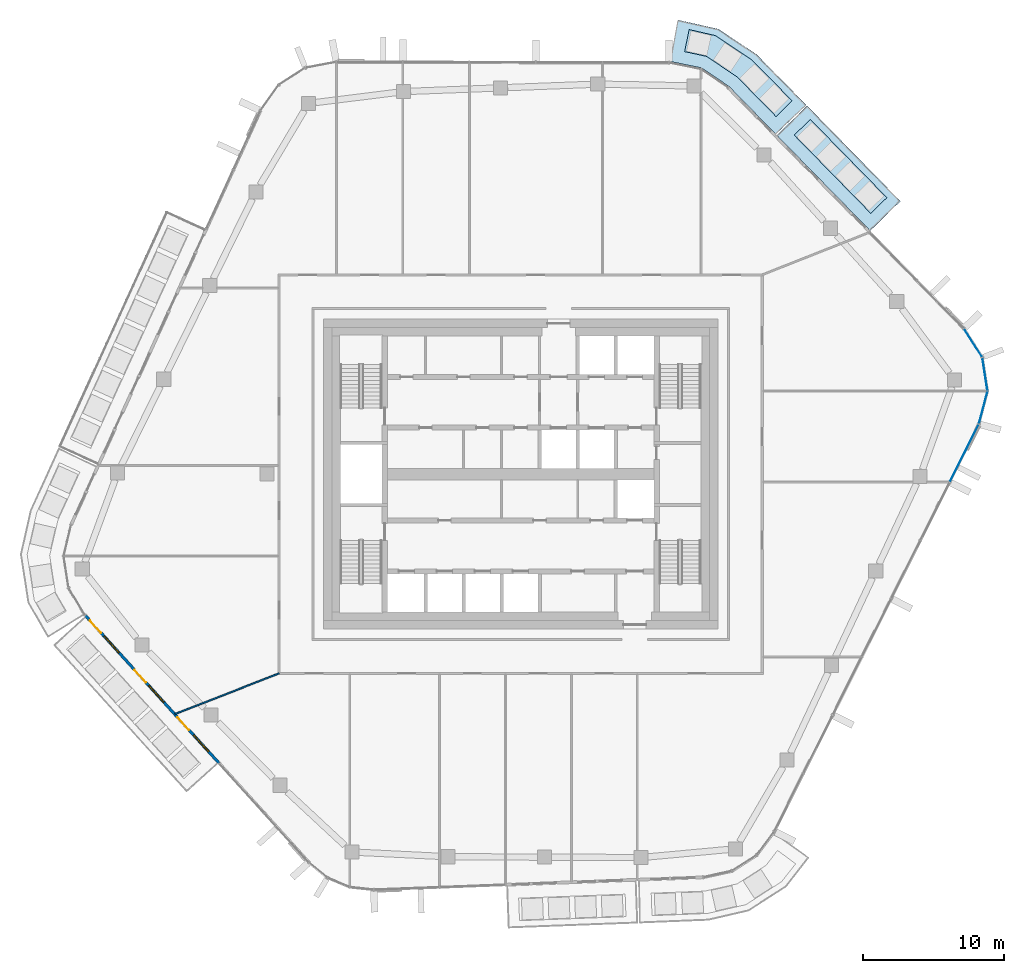
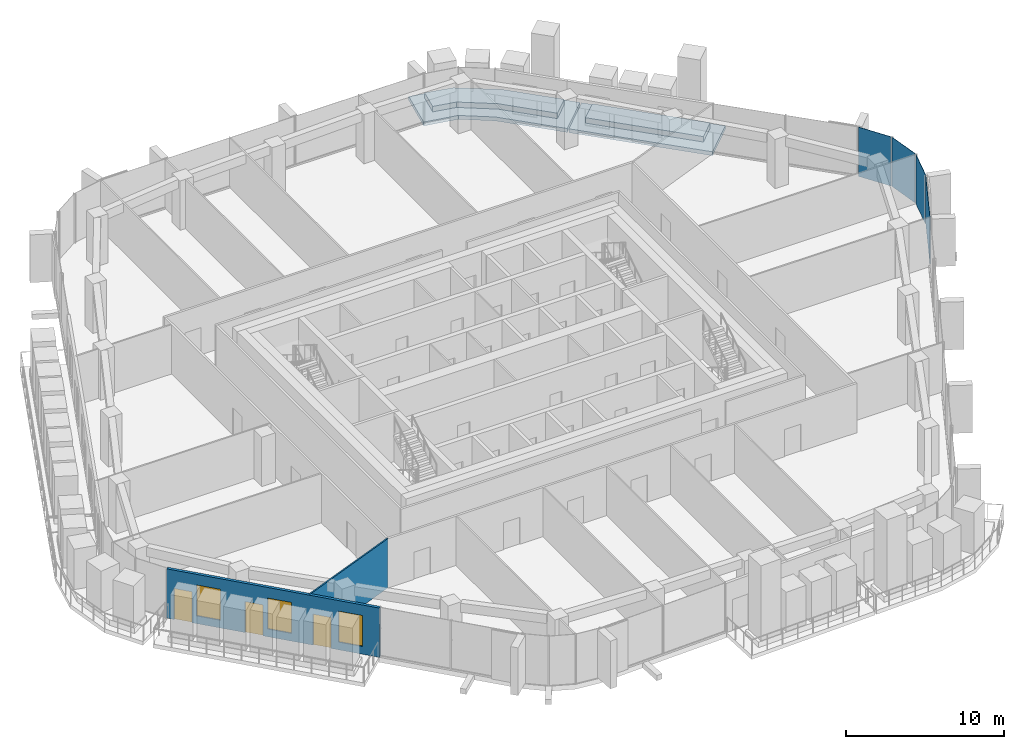
# One storey, part 12 of 23: 4 plates, 4 slabs, 3 doors, 3 windows, 2 walls, 6 openings, 2 elements without a shape of their own.
"""IFC4 building model written with IfcOpenShell, lengths in metres."""

from ifc_helpers import new_model, si_unit, direction, frame, frame_2d, origin, origin_2d, place, context, subcontext, project, spatial, polyline, rectangle, outline, extrude, material, layer, layer_set, type_object, element, fill, aggregate, save


model = new_model("IFC4")

# Units and contexts
model_context = context("Model", 3, precision=1e-05, world=origin(), true_north=direction((0.0, 1.0)))
body_context = subcontext(model_context, "Body", "Model", "MODEL_VIEW")
ifc_project = project(units=[si_unit("LENGTHUNIT", "METRE"), si_unit("AREAUNIT", "SQUARE_METRE"), si_unit("VOLUMEUNIT", "CUBIC_METRE"), si_unit("PLANEANGLEUNIT", "RADIAN"), si_unit("MASSUNIT", "GRAM", prefix="KILO")], contexts=[model_context])

# Site, building, storey
site_placement = place(None, origin())
site = spatial("IfcSite", under=ifc_project, at=site_placement, CompositionType="ELEMENT")
building_placement = place(site_placement, origin())
building = spatial("IfcBuilding", under=site, at=building_placement, Name="Dongbaek Canopy Tower", CompositionType="ELEMENT")
storey_placement = place(building_placement, frame((0.0, 0.0, 315.199951171875)))
storey = spatial("IfcBuildingStorey", under=building, at=storey_placement, Name="L67", CompositionType="ELEMENT", Elevation=315.199951171875)

# Slabs
ifc_material_1 = material(Name="Concrete C40/50", Category="concrete")
ifc_layer_1 = layer(ifc_material_1, 0.300048828125)
ifc_layer_set_1 = layer_set([ifc_layer_1], Name="Balcony slab 300")
slab_type_1 = type_object("IfcSlabType", Name="Balcony slab 300", PredefinedType="FLOOR", material=ifc_layer_set_1)
slab_1_placement = place(storey_placement, frame((0.0, 0.0, -0.300048828125)))
element("IfcSlab", 1, at=slab_1_placement, inside=storey, type_object=slab_type_1, Name="Balcony L67 1", PredefinedType="FLOOR", context=body_context, shape_type="SweptSolid", body=[
    extrude(outline(polyline([(24.81884765625, 17.28271484375), (18.192626953125, 24.05517578125), (20.3369140625, 26.153076171875), (26.963134765625, 19.380859375), (24.81884765625, 17.28271484375)])), origin(), (0.0, 0.0, 1.0), 0.300048828125),
])
slab_2_placement = place(storey_placement, frame((0.0, 0.0, -0.300048828125)))
element("IfcSlab", 2, at=slab_2_placement, inside=storey, type_object=slab_type_1, Name="Balcony L67 5", PredefinedType="FLOOR", context=body_context, shape_type="SweptSolid", body=[
    extrude(outline(polyline([(18.122802734375, 24.12646484375), (14.809814453125, 27.5126953125), (12.853271484375, 28.8447265625), (10.5830078125, 29.306640625), (11.18115234375, 32.246337890625), (14.01953125, 31.60888671875), (16.735595703125, 29.81298828125), (20.26708984375, 26.224609375), (18.122802734375, 24.12646484375)])), origin(), (0.0, 0.0, 1.0), 0.300048828125),
])

# Curtain wall, plates
ifc_material_2 = material(Name="Aluminium 6063-T6 pale anodised", Category="aluminium")
ifc_layer_2 = layer(ifc_material_2, 0.199951171875)
ifc_layer_set_2 = layer_set([ifc_layer_2], Name="CW-1 unitised tower curtain wall")
curtain_wall_type = type_object("IfcCurtainWallType", Name="CW-1 unitised tower curtain wall", PredefinedType="NOTDEFINED", material=ifc_layer_set_2)
curtain_wall_1_placement = place(storey_placement, origin())
curtain_wall_1 = element("IfcCurtainWall", 3, at=curtain_wall_1_placement, inside=storey, type_object=curtain_wall_type, Name="CW-1 curtain wall K0.1", PredefinedType="NOTDEFINED")
ifc_material_3 = material(Name="Clear laminated glass", Category="glass")
ifc_layer_3 = layer(ifc_material_3, 0.028076171875)
ifc_layer_set_3 = layer_set([ifc_layer_3], Name="CW-1 glazed panel 28")
plate_type = type_object("IfcPlateType", Name="CW-1 glazed panel 28", PredefinedType="CURTAIN_PANEL", material=ifc_layer_set_3)
plate_1_placement = place(storey_placement, frame((32.840087890625, 4.72607421875, 0.0), z_axis=(0.0, 0.0, 1.0), x_axis=(0.255710608049, 0.966753373375, 0.0)))
plate_1 = element("IfcPlate", 4, at=plate_1_placement, type_object=plate_type, Name="CW-1 panel K0.1.1.1", PredefinedType="CURTAIN_PANEL", context=body_context, shape_type="SweptSolid", body=[
    extrude(rectangle(XDim=2.346435546875, YDim=0.028076171875, at=origin_2d()), origin(), (0.0, 0.0, 1.0), 3.820068359375),
])
plate_2_placement = place(storey_placement, frame((32.964599609375, 7.096435546875, 0.0), z_axis=(0.0, 0.0, 1.0), x_axis=(-0.154029397181, 0.988066265391, 0.0)))
plate_2 = element("IfcPlate", 5, at=plate_2_placement, type_object=plate_type, Name="CW-1 panel K0.1.2.1", PredefinedType="CURTAIN_PANEL", context=body_context, shape_type="SweptSolid", body=[
    extrude(rectangle(XDim=2.3359375, YDim=0.028076171875, at=origin_2d()), origin(), (0.0, 0.0, 1.0), 3.820068359375),
])
plate_3_placement = place(storey_placement, frame((32.12451171875, 9.31640625, 0.0), z_axis=(0.0, 0.0, 1.0), x_axis=(-0.537839922509, 0.843046984311, 0.0)))
plate_3 = element("IfcPlate", 6, at=plate_3_placement, type_object=plate_type, Name="CW-1 panel K0.1.3.1", PredefinedType="CURTAIN_PANEL", context=body_context, shape_type="SweptSolid", body=[
    extrude(rectangle(XDim=2.346435546875, YDim=0.028076171875, at=origin_2d()), origin(), (0.0, 0.0, 1.0), 3.820068359375),
])
aggregate(curtain_wall_1, [plate_1, plate_2, plate_3])

# Curtain wall, plate
curtain_wall_2_placement = place(storey_placement, origin())
curtain_wall_2 = element("IfcCurtainWall", 7, at=curtain_wall_2_placement, inside=storey, type_object=curtain_wall_type, Name="CW-1 curtain wall F5.1", PredefinedType="NOTDEFINED")
plate_4_placement = place(storey_placement, frame((31.494384765625, 1.489013671875, 0.1201171875), z_axis=(0.0, 0.0, 1.0), x_axis=(0.448598466859, 0.893733414129, 0.0)))
plate_4 = element("IfcPlate", 8, at=plate_4_placement, type_object=plate_type, Name="CW-1 panel F5.1.7.1", PredefinedType="CURTAIN_PANEL", context=body_context, shape_type="SweptSolid", body=[
    extrude(rectangle(XDim=4.531005859375, YDim=0.028076171875, at=origin_2d()), origin(), (0.0, 0.0, 1.0), 3.699951171875),
])
aggregate(curtain_wall_2, [plate_4])

# Slabs
ifc_material_4 = material(Name="Reinforced concrete C40/50 planter box with soil", Category="concrete")
ifc_layer_4 = layer(ifc_material_4, 0.419921875)
ifc_layer_set_4 = layer_set([ifc_layer_4], Name="Terrace planter box 1600 x 420")
slab_type_2 = type_object("IfcSlabType", Name="Terrace planter box 1600 x 420", PredefinedType="USERDEFINED", material=ifc_layer_set_4)
slab_3_placement = place(storey_placement, origin())
element("IfcSlab", 9, at=slab_3_placement, inside=storey, type_object=slab_type_2, Name="Balcony planter L67 1", ObjectType="PLANTER", PredefinedType="USERDEFINED", context=body_context, shape_type="SweptSolid", body=[
    extrude(outline(polyline([(24.8603515625, 18.5126953125), (19.42333984375, 24.06982421875), (20.56689453125, 25.18896484375), (26.004150390625, 19.6318359375), (24.8603515625, 18.5126953125)])), origin(), (0.0, 0.0, 1.0), 0.420166015625),
])
slab_4_placement = place(storey_placement, origin())
element("IfcSlab", 10, at=slab_4_placement, inside=storey, type_object=slab_type_2, Name="Balcony planter L67 5", ObjectType="PLANTER", PredefinedType="USERDEFINED", context=body_context, shape_type="SweptSolid", body=[
    extrude(outline(polyline([(18.12939453125, 25.392333984375), (15.381103515625, 28.195068359375), (13.199462890625, 29.664794921875), (11.642578125, 29.999267578125), (11.96142578125, 31.567138671875), (13.8212890625, 31.138916015625), (16.408203125, 29.421875), (19.273193359375, 26.51123046875), (18.12939453125, 25.392333984375)])), origin(), (0.0, 0.0, 1.0), 0.420166015625),
])

# Wall
ifc_material_5 = material(Name="Gypsum board partition, steel stud, 2 x 12.5 mm board", Category="steel")
ifc_layer_5 = layer(ifc_material_5, 0.10009765625)
ifc_layer_set_5 = layer_set([ifc_layer_5], Name="Partition 100 gypsum board")
wall_type_1 = type_object("IfcWallType", Name="Partition 100 gypsum board", PredefinedType="PARTITIONING", material=ifc_layer_set_5)
wall_1_placement = place(storey_placement, frame((-24.55029296875, -17.033447265625, 0.0), z_axis=(0.0, 0.0, 1.0), x_axis=(0.931751191714, 0.363097392911, 0.0)))
element("IfcWall", 11, at=wall_1_placement, inside=storey, type_object=wall_type_1, Name="Partition", PredefinedType="PARTITIONING", context=body_context, shape_type="SweptSolid", body=[
    extrude(rectangle(XDim=7.942138671875, YDim=0.10009765625, at=frame_2d((3.97119140625, 0.0))), origin(), (0.0, 0.0, 1.0), 3.820068359375),
])

# Wall, openings, doors, windows
ifc_material_6 = material(Name="Aluminium window wall", Category="aluminium")
ifc_layer_6 = layer(ifc_material_6, 0.199951171875)
ifc_layer_set_6 = layer_set([ifc_layer_6], Name="Window wall 200")
wall_type_2 = type_object("IfcWallType", Name="Window wall 200", PredefinedType="SOLIDWALL", material=ifc_layer_set_6)
wall_2_placement = place(storey_placement, frame((-30.925537109375, -10.022705078125, 0.0), z_axis=(0.0, 0.0, 1.0), x_axis=(0.671222052588, -0.74125633631, 0.0)))
wall_2 = element("IfcWall", 12, at=wall_2_placement, inside=storey, type_object=wall_type_2, Name="Window wall L67 3", PredefinedType="SOLIDWALL", context=body_context, shape_type="SweptSolid", body=[
    extrude(rectangle(XDim=14.2021484375, YDim=0.199951171875, at=frame_2d((7.10107421875, 0.0))), origin(), (0.0, 0.0, 1.0), 3.820068359375),
])
opening_1_placement = place(wall_2_placement, frame((2.0, 0.0, 0.60009765625)))
opening_1 = element("IfcOpeningElement", 13, at=opening_1_placement, cuts=wall_2, Name="Opening W1", PredefinedType="OPENING", context=body_context, shape_type="SweptSolid", body=[
    extrude(rectangle(XDim=1.60009765625, YDim=2.39990234375, at=frame_2d((0.800048828125, 1.199951171875))), frame((0.0, 0.10986328125, 0.0), z_axis=(0.0, -1.0, 0.0), x_axis=(1.0, 0.0, 0.0)), (0.0, 0.0, 1.0), 0.219970703125),
])
opening_2_placement = place(wall_2_placement, frame((0.5, 0.0, 0.0)))
opening_2 = element("IfcOpeningElement", 14, at=opening_2_placement, cuts=wall_2, Name="Opening L67-B09", PredefinedType="OPENING", context=body_context, shape_type="SweptSolid", body=[
    extrude(rectangle(XDim=1.199951171875, YDim=2.39990234375, at=frame_2d((0.60009765625, 1.199951171875))), frame((0.0, 0.10986328125, 0.0), z_axis=(0.0, -1.0, 0.0), x_axis=(1.0, 0.0, 0.0)), (0.0, 0.0, 1.0), 0.219970703125),
])
opening_3_placement = place(wall_2_placement, frame((6.73388671875, 0.0, 0.60009765625)))
opening_3 = element("IfcOpeningElement", 15, at=opening_3_placement, cuts=wall_2, Name="Opening W1", PredefinedType="OPENING", context=body_context, shape_type="SweptSolid", body=[
    extrude(rectangle(XDim=1.60009765625, YDim=2.39990234375, at=frame_2d((0.800048828125, 1.199951171875))), frame((0.0, 0.10986328125, 0.0), z_axis=(0.0, -1.0, 0.0), x_axis=(1.0, 0.0, 0.0)), (0.0, 0.0, 1.0), 0.219970703125),
])
opening_4_placement = place(wall_2_placement, frame((5.23388671875, 0.0, 0.0)))
opening_4 = element("IfcOpeningElement", 16, at=opening_4_placement, cuts=wall_2, Name="Opening L67-B10", PredefinedType="OPENING", context=body_context, shape_type="SweptSolid", body=[
    extrude(rectangle(XDim=1.199951171875, YDim=2.39990234375, at=frame_2d((0.60009765625, 1.199951171875))), frame((0.0, 0.10986328125, 0.0), z_axis=(0.0, -1.0, 0.0), x_axis=(1.0, 0.0, 0.0)), (0.0, 0.0, 1.0), 0.219970703125),
])
opening_5_placement = place(wall_2_placement, frame((11.468017578125, 0.0, 0.60009765625)))
opening_5 = element("IfcOpeningElement", 17, at=opening_5_placement, cuts=wall_2, Name="Opening W1", PredefinedType="OPENING", context=body_context, shape_type="SweptSolid", body=[
    extrude(rectangle(XDim=1.60009765625, YDim=2.39990234375, at=frame_2d((0.800048828125, 1.199951171875))), frame((0.0, 0.10986328125, 0.0), z_axis=(0.0, -1.0, 0.0), x_axis=(1.0, 0.0, 0.0)), (0.0, 0.0, 1.0), 0.219970703125),
])
opening_6_placement = place(wall_2_placement, frame((9.76806640625, 0.0, 0.0)))
opening_6 = element("IfcOpeningElement", 18, at=opening_6_placement, cuts=wall_2, Name="Opening L67-B11", PredefinedType="OPENING", context=body_context, shape_type="SweptSolid", body=[
    extrude(rectangle(XDim=1.199951171875, YDim=2.39990234375, at=frame_2d((0.60009765625, 1.199951171875))), frame((0.0, 0.10986328125, 0.0), z_axis=(0.0, -1.0, 0.0), x_axis=(1.0, 0.0, 0.0)), (0.0, 0.0, 1.0), 0.219970703125),
])
ifc_material_7 = material(Name="Clear glazing in aluminium frame", Category="aluminium")
door_type = type_object("IfcDoorType", Name="Balcony door BD1 1200 x 2400", OperationType="SLIDING_TO_LEFT", PredefinedType="DOOR", material=ifc_material_7)
door_1_placement = place(opening_2_placement, origin())
door_1 = element("IfcDoor", 19, at=door_1_placement, inside=storey, type_object=door_type, Name="Balcony door L67-B09", OperationType="SLIDING_TO_LEFT", OverallHeight=2.39990234375, OverallWidth=1.199951171875, PredefinedType="DOOR", context=body_context, shape_type="SweptSolid", body=[
    extrude(rectangle(XDim=1.199951171875, YDim=2.39990234375, at=frame_2d((0.60009765625, 1.199951171875))), frame((0.0, 0.02490234375, 0.0), z_axis=(0.0, -1.0, 0.0), x_axis=(1.0, 0.0, 0.0)), (0.0, 0.0, 1.0), 0.050048828125),
])
fill(opening_2, door_1)
door_2_placement = place(opening_4_placement, origin())
door_2 = element("IfcDoor", 20, at=door_2_placement, inside=storey, type_object=door_type, Name="Balcony door L67-B10", OperationType="SLIDING_TO_LEFT", OverallHeight=2.39990234375, OverallWidth=1.199951171875, PredefinedType="DOOR", context=body_context, shape_type="SweptSolid", body=[
    extrude(rectangle(XDim=1.199951171875, YDim=2.39990234375, at=frame_2d((0.60009765625, 1.199951171875))), frame((0.0, 0.02490234375, 0.0), z_axis=(0.0, -1.0, 0.0), x_axis=(1.0, 0.0, 0.0)), (0.0, 0.0, 1.0), 0.050048828125),
])
fill(opening_4, door_2)
door_3_placement = place(opening_6_placement, origin())
door_3 = element("IfcDoor", 21, at=door_3_placement, inside=storey, type_object=door_type, Name="Balcony door L67-B11", OperationType="SLIDING_TO_LEFT", OverallHeight=2.39990234375, OverallWidth=1.199951171875, PredefinedType="DOOR", context=body_context, shape_type="SweptSolid", body=[
    extrude(rectangle(XDim=1.199951171875, YDim=2.39990234375, at=frame_2d((0.60009765625, 1.199951171875))), frame((0.0, 0.02490234375, 0.0), z_axis=(0.0, -1.0, 0.0), x_axis=(1.0, 0.0, 0.0)), (0.0, 0.0, 1.0), 0.050048828125),
])
fill(opening_6, door_3)
ifc_material_8 = material(Name="Clear glazing in aluminium frame", Category="aluminium")
window_type = type_object("IfcWindowType", Name="Window W1 1600 x 2400", PartitioningType="SINGLE_PANEL", PredefinedType="WINDOW", material=ifc_material_8)
window_1_placement = place(opening_1_placement, origin())
window_1 = element("IfcWindow", 22, at=window_1_placement, inside=storey, type_object=window_type, Name="Window L67 3.1", OverallHeight=2.39990234375, OverallWidth=1.60009765625, PartitioningType="SINGLE_PANEL", PredefinedType="WINDOW", context=body_context, shape_type="SweptSolid", body=[
    extrude(rectangle(XDim=1.60009765625, YDim=2.39990234375, at=frame_2d((0.800048828125, 1.199951171875))), frame((0.0, 0.030029296875, 0.0), z_axis=(0.0, -1.0, 0.0), x_axis=(1.0, 0.0, 0.0)), (0.0, 0.0, 1.0), 0.06005859375),
])
fill(opening_1, window_1)
window_2_placement = place(opening_3_placement, origin())
window_2 = element("IfcWindow", 23, at=window_2_placement, inside=storey, type_object=window_type, Name="Window L67 3.2", OverallHeight=2.39990234375, OverallWidth=1.60009765625, PartitioningType="SINGLE_PANEL", PredefinedType="WINDOW", context=body_context, shape_type="SweptSolid", body=[
    extrude(rectangle(XDim=1.60009765625, YDim=2.39990234375, at=frame_2d((0.800048828125, 1.199951171875))), frame((0.0, 0.030029296875, 0.0), z_axis=(0.0, -1.0, 0.0), x_axis=(1.0, 0.0, 0.0)), (0.0, 0.0, 1.0), 0.06005859375),
])
fill(opening_3, window_2)
window_3_placement = place(opening_5_placement, origin())
window_3 = element("IfcWindow", 24, at=window_3_placement, inside=storey, type_object=window_type, Name="Window L67 3.3", OverallHeight=2.39990234375, OverallWidth=1.60009765625, PartitioningType="SINGLE_PANEL", PredefinedType="WINDOW", context=body_context, shape_type="SweptSolid", body=[
    extrude(rectangle(XDim=1.60009765625, YDim=2.39990234375, at=frame_2d((0.800048828125, 1.199951171875))), frame((0.0, 0.030029296875, 0.0), z_axis=(0.0, -1.0, 0.0), x_axis=(1.0, 0.0, 0.0)), (0.0, 0.0, 1.0), 0.06005859375),
])
fill(opening_5, window_3)

save(model, "model.ifc")
